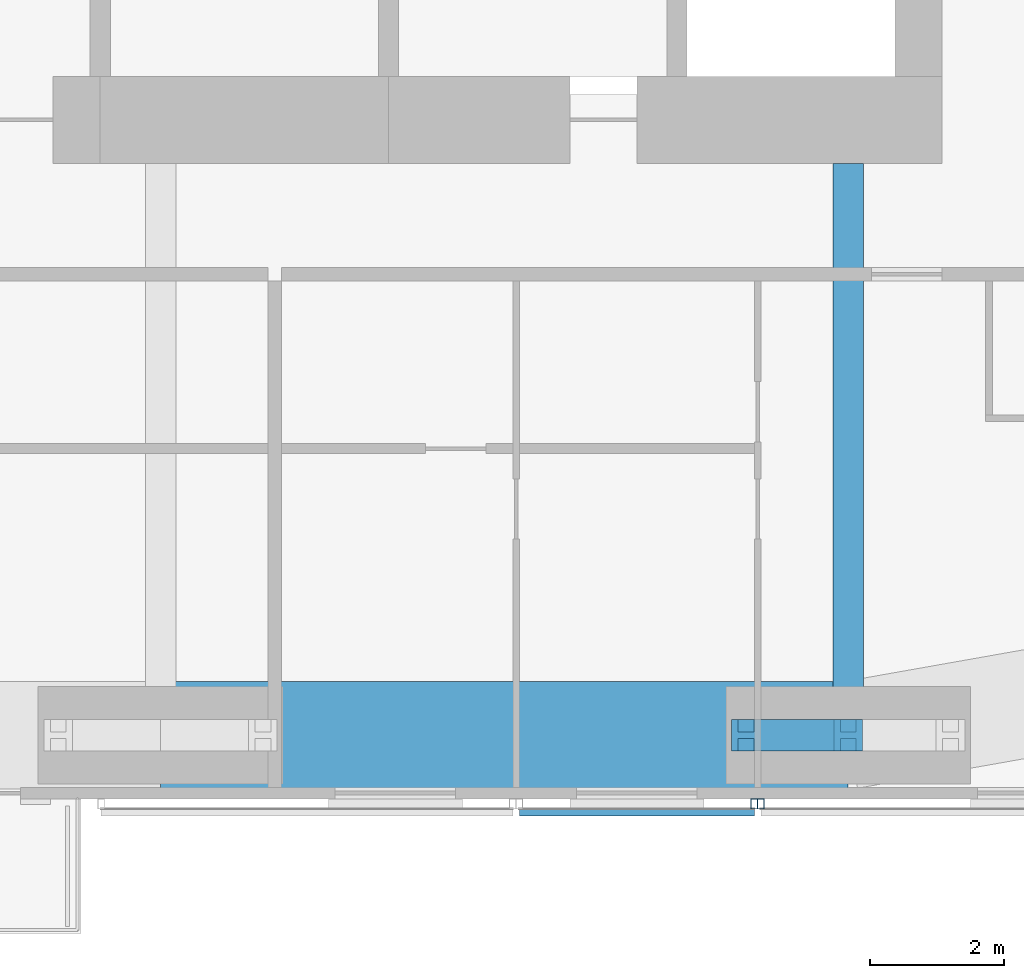
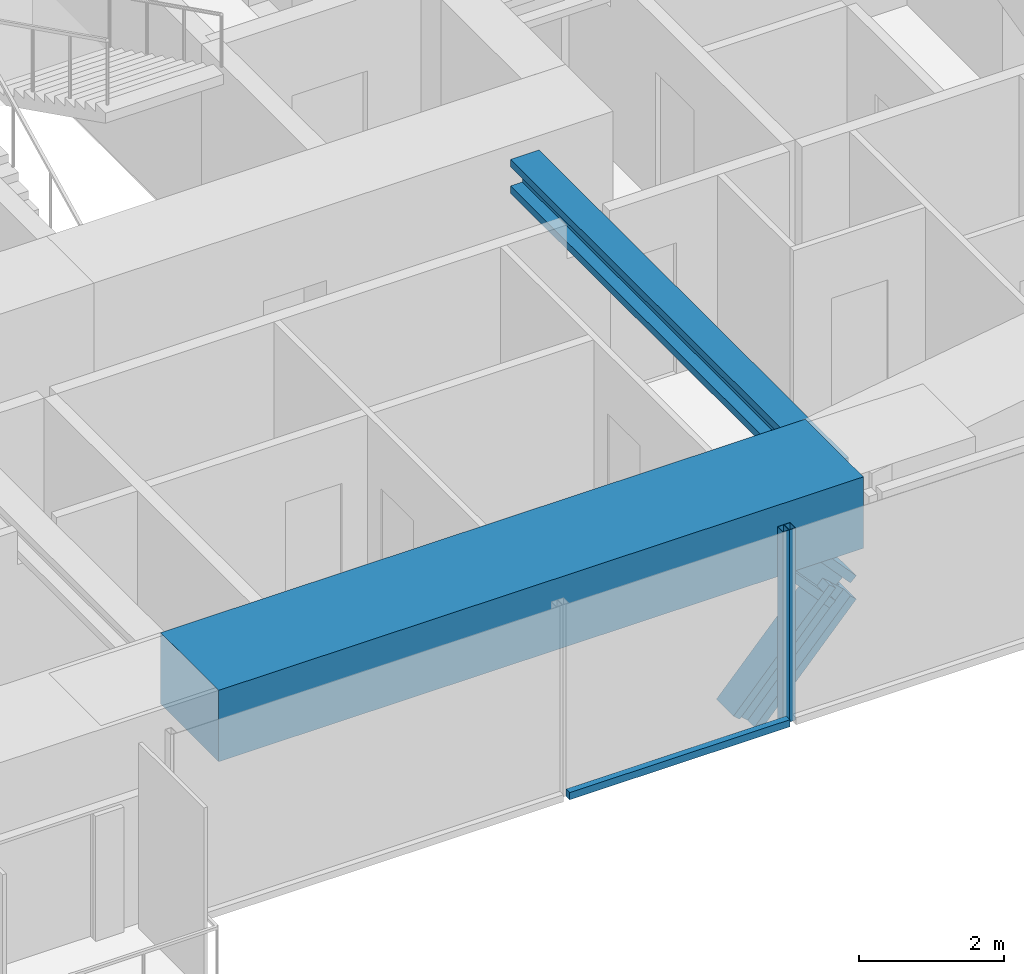
# One storey, part 4 of 22: 5 members, 2 beams, 2 elements without a shape of their own.
"""IFC4 building model written with IfcOpenShell, lengths in metres."""

from ifc_helpers import new_model, si_unit, direction, frame, origin, origin_2d, place, context, subcontext, project, spatial, rectangle, hollow_rectangle, i_section, extrude, material, material_profile, profile_set, type_object, element, aggregate, save


model = new_model("IFC4")

# Units and contexts
model_context = context("Model", 3, precision=1e-05, world=origin(), true_north=direction((0.0, 1.0)))
body_context = subcontext(model_context, "Body", "Model", "MODEL_VIEW")
ifc_project = project(units=[si_unit("LENGTHUNIT", "METRE"), si_unit("AREAUNIT", "SQUARE_METRE"), si_unit("VOLUMEUNIT", "CUBIC_METRE"), si_unit("PLANEANGLEUNIT", "RADIAN"), si_unit("MASSUNIT", "GRAM", prefix="KILO")], contexts=[model_context])

# Site, building, storey
site_placement = place(None, origin())
site = spatial("IfcSite", under=ifc_project, at=site_placement, CompositionType="ELEMENT")
building_placement = place(site_placement, origin())
building = spatial("IfcBuilding", under=site, at=building_placement, Name="Jalousie Tower", CompositionType="ELEMENT")
storey_placement = place(building_placement, frame((0.0, 0.0, 201.25)))
storey = spatial("IfcBuildingStorey", under=building, at=storey_placement, Name="L55", CompositionType="ELEMENT", Elevation=201.25)

# Beam
ifc_material_1 = material(Name="Steel ASTM A992 Grade 50", Category="steel")
ifc_material_profile_1 = material_profile(ifc_material_1, i_section(OverallWidth=0.45458984375, OverallDepth=0.569091796875, WebThickness=0.077880859375, FlangeThickness=0.124755859375, at=origin_2d()), Name="W14X730")
ifc_profile_set_1 = profile_set([ifc_material_profile_1], Name="Steel ASTM A992 Grade 50")
beam_type_1 = type_object("IfcBeamType", Name="LEAN COLLECTOR W14X730", PredefinedType="BEAM", material=ifc_profile_set_1)
beam_1_placement = place(storey_placement, frame((42.75, 0.949951171875, 2.825439453125), z_axis=(0.0, 1.0, 0.0), x_axis=(-1.0, 0.0, 0.0)))
element("IfcBeam", 1, at=beam_1_placement, inside=storey, type_object=beam_type_1, Name="Lean collector under L56", PredefinedType="BEAM", context=body_context, shape_type="SweptSolid", body=[
    extrude(i_section(OverallWidth=0.45458984375, OverallDepth=0.569091796875, WebThickness=0.077880859375, FlangeThickness=0.124755859375, at=origin_2d()), origin(), (0.0, 0.0, 1.0), 8.525146484375),
])

# Members
ifc_material_2 = material(Name="Steel ASTM A992 Grade 50", Category="steel")
ifc_material_profile_2 = material_profile(ifc_material_2, i_section(OverallWidth=0.472412109375, OverallDepth=0.5791015625, WebThickness=0.094970703125, FlangeThickness=0.1298828125, at=origin_2d()), Name="W14X808")
ifc_profile_set_2 = profile_set([ifc_material_profile_2], Name="Steel ASTM A992 Grade 50")
member_type_1 = type_object("IfcMemberType", Name="PERIMETER BRACE W14X808", PredefinedType="BRACE", material=ifc_profile_set_2)
for number, where, z_axis, x_axis, name in (
    (2, (41.22509765625, 0.949951171875, -0.60009765625), (0.673187629365, 0.0, 0.739471713908), (0.0, 1.0, 0.0), "Perimeter brace 04 L55 part 1"),
    (3, (42.75, 0.949951171875, 1.074951171875), (-0.673187629365, 0.0, 0.739471713908), (0.0, -1.0, 0.0), "Perimeter brace 04 L55 part 4"),
):
    element("IfcMember", number, at=place(storey_placement, frame(where, z_axis=z_axis, x_axis=x_axis)), inside=storey, type_object=member_type_1, Name=name, PredefinedType="BRACE", context=body_context, shape_type="SweptSolid", body=[
        extrude(i_section(OverallWidth=0.472412109375, OverallDepth=0.5791015625, WebThickness=0.094970703125, FlangeThickness=0.1298828125, at=origin_2d()), origin(), (0.0, 0.0, 1.0), 2.26513671875),
    ])

# Beam
ifc_material_3 = material(Name="Concrete f'c 40 MPa", Category="concrete")
ifc_material_profile_3 = material_profile(ifc_material_3, rectangle(XDim=1.60009765625, YDim=1.199951171875, at=origin_2d()), Name="RC 1600x1200")
ifc_profile_set_3 = profile_set([ifc_material_profile_3], Name="Concrete f'c 40 MPa")
beam_type_2 = type_object("IfcBeamType", Name="RC BEAM 1600x1200", PredefinedType="BEAM", material=ifc_profile_set_3)
beam_2_placement = place(storey_placement, frame((32.5, 0.949951171875, 2.75), z_axis=(1.0, 0.0, 0.0), x_axis=(0.0, 1.0, 0.0)))
element("IfcBeam", 4, at=beam_2_placement, inside=storey, type_object=beam_type_2, Name="Edge band beam 03-04 under L56", PredefinedType="BEAM", context=body_context, shape_type="SweptSolid", body=[
    extrude(rectangle(XDim=1.60009765625, YDim=1.199951171875, at=origin_2d()), origin(), (0.0, 0.0, 1.0), 10.25),
])

# Curtain wall, member
ifc_material_4 = material(Name="Perforated aluminium sheet", Category="aluminium")
curtain_wall_type = type_object("IfcCurtainWallType", Name="SOLAR SCREEN SS-1", PredefinedType="USERDEFINED", material=ifc_material_4)
curtain_wall_1_placement = place(storey_placement, origin())
curtain_wall_1 = element("IfcCurtainWall", 5, at=curtain_wall_1_placement, inside=storey, type_object=curtain_wall_type, Name="Solar screen L55", ObjectType="SOLAR SCREEN SS-1", PredefinedType="USERDEFINED")
ifc_material_5 = material(Name="Steel ASTM A500 Grade C", Category="steel")
ifc_material_profile_4 = material_profile(ifc_material_5, hollow_rectangle(XDim=0.1015625, YDim=0.15234375, WallThickness=0.00634765625, at=origin_2d()), Name="HSS6X4X1/4")
ifc_profile_set_4 = profile_set([ifc_material_profile_4], Name="Steel ASTM A500 Grade C")
member_type_2 = type_object("IfcMemberType", Name="SOLAR SCREEN SS-1 MULLION", PredefinedType="MULLION", material=ifc_profile_set_4)
member_1_placement = place(storey_placement, frame((41.35009765625, -0.0712890625, -0.1201171875), z_axis=(0.0, 0.0, 1.0), x_axis=(1.0, 0.0, 0.0)))
member_1 = element("IfcMember", 6, at=member_1_placement, type_object=member_type_2, Name="SS1 post 2", PredefinedType="MULLION", context=body_context, shape_type="SweptSolid", body=[
    extrude(hollow_rectangle(XDim=0.1015625, YDim=0.15234375, WallThickness=0.00634765625, at=origin_2d()), origin(), (0.0, 0.0, 1.0), 3.230224609375),
])

curtain_wall_2_placement = place(storey_placement, origin())
curtain_wall_2 = element("IfcCurtainWall", 7, at=curtain_wall_2_placement, inside=storey, type_object=curtain_wall_type, Name="Solar screen L55", ObjectType="SOLAR SCREEN SS-1", PredefinedType="USERDEFINED")
member_2_placement = place(storey_placement, frame((41.449951171875, -0.0712890625, -0.1201171875), z_axis=(0.0, 0.0, 1.0), x_axis=(1.0, 0.0, 0.0)))
member_2 = element("IfcMember", 8, at=member_2_placement, type_object=member_type_2, Name="SS1 post 1", PredefinedType="MULLION", context=body_context, shape_type="SweptSolid", body=[
    extrude(hollow_rectangle(XDim=0.1015625, YDim=0.15234375, WallThickness=0.00634765625, at=origin_2d()), origin(), (0.0, 0.0, 1.0), 3.230224609375),
])
aggregate(curtain_wall_2, [member_2])

# Member
ifc_material_6 = material(Name="Extruded aluminium screen rail", Category="aluminium")
ifc_material_profile_5 = material_profile(ifc_material_6, rectangle(XDim=0.1015625, YDim=0.1201171875, at=origin_2d()), Name="RAIL 102x120")
ifc_profile_set_5 = profile_set([ifc_material_profile_5], Name="Extruded aluminium screen rail")
member_type_3 = type_object("IfcMemberType", Name="SOLAR SCREEN SS-1 TRANSOM", PredefinedType="USERDEFINED", material=ifc_profile_set_5)
member_3_placement = place(storey_placement, frame((37.85009765625, -0.1982421875, -0.06005859375), z_axis=(1.0, 0.0, 0.0), x_axis=(0.0, 1.0, 0.0)))
member_3 = element("IfcMember", 9, at=member_3_placement, type_object=member_type_3, Name="SS1 rail", ObjectType="TRANSOM", PredefinedType="USERDEFINED", context=body_context, shape_type="SweptSolid", body=[
    extrude(rectangle(XDim=0.1015625, YDim=0.1201171875, at=origin_2d()), origin(), (0.0, 0.0, 1.0), 3.5),
])

aggregate(curtain_wall_1, [member_1, member_3])

save(model, "model.ifc")
